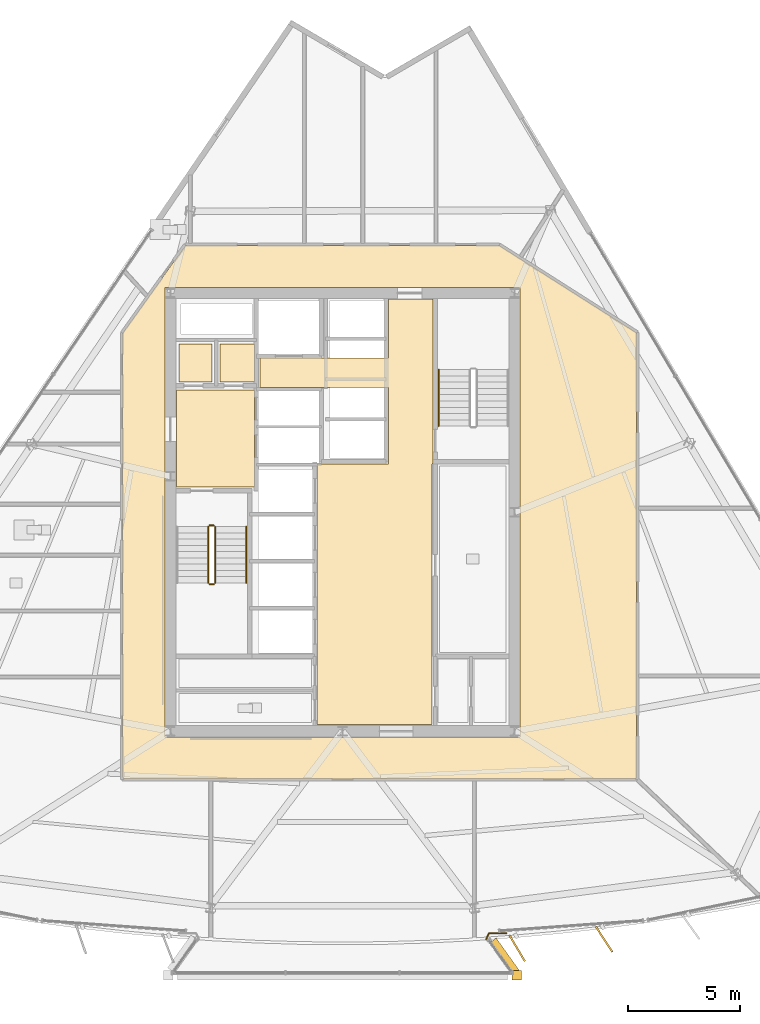
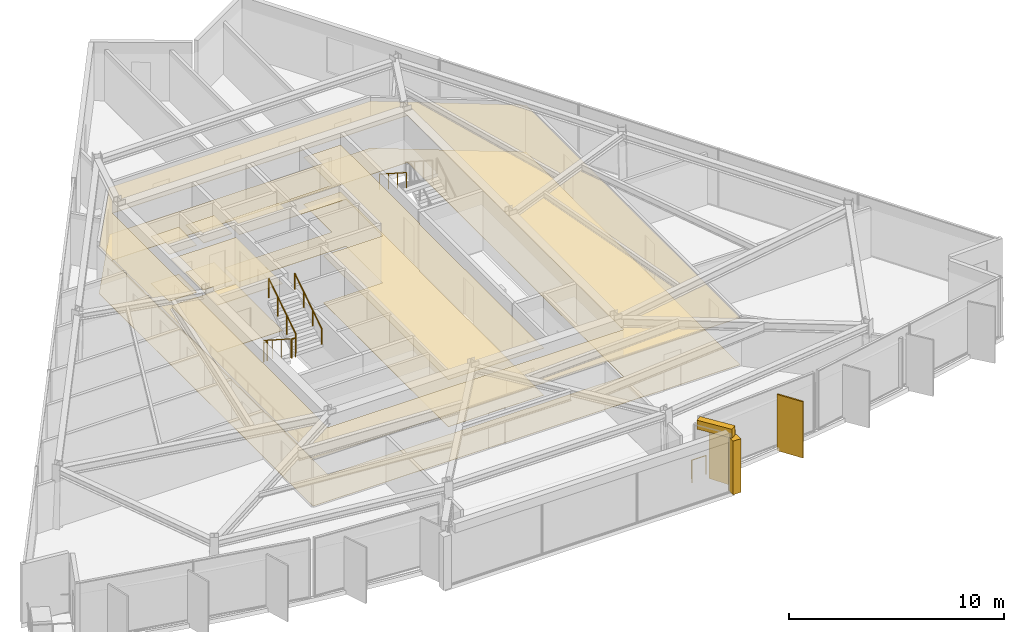
# One storey, part 12 of 15: 12 coverings, 7 railings, 2 shading devices.
"""IFC4 building model written with IfcOpenShell, lengths in metres."""

from ifc_helpers import new_model, si_unit, direction, frame, origin, origin_2d, place, context, subcontext, project, spatial, polyline, rectangle, circle, outline, extrude, material, layer, layer_set, type_object, element, save


model = new_model("IFC4")

# Units and contexts
model_context = context("Model", 3, precision=1e-05, world=origin(), true_north=direction((0.0, 1.0)))
body_context = subcontext(model_context, "Body", "Model", "MODEL_VIEW")
ifc_project = project(units=[si_unit("LENGTHUNIT", "METRE"), si_unit("AREAUNIT", "SQUARE_METRE"), si_unit("VOLUMEUNIT", "CUBIC_METRE"), si_unit("PLANEANGLEUNIT", "RADIAN"), si_unit("MASSUNIT", "GRAM", prefix="KILO")], contexts=[model_context])

# Site, building, storey
site_placement = place(None, origin())
site = spatial("IfcSite", under=ifc_project, at=site_placement, CompositionType="ELEMENT")
building_placement = place(site_placement, origin())
building = spatial("IfcBuilding", under=site, at=building_placement, Name="Savorim Split Tower", CompositionType="ELEMENT")
storey_placement = place(building_placement, frame((0.0, 0.0, 163.800048828125)))
storey = spatial("IfcBuildingStorey", under=building, at=storey_placement, Name="L43", CompositionType="ELEMENT", Elevation=163.800048828125)

# Coverings
ifc_material_1 = material(Name="Mineral Fibre Acoustic Ceiling")
ifc_layer_1 = layer(ifc_material_1, 0.02490234375)
ifc_layer_set_1 = layer_set([ifc_layer_1], Name="COV-CEIL-25")
covering_type_1 = type_object("IfcCoveringType", Name="COV-CEIL-25", PredefinedType="CEILING", material=ifc_layer_set_1)
covering_1_placement = place(storey_placement, frame((0.0, 0.0, 2.669921875)))
element("IfcCovering", 1, at=covering_1_placement, inside=storey, type_object=covering_type_1, Name="L43 Firefighting Lift Lobby Acoustic Ceiling", PredefinedType="CEILING", context=body_context, shape_type="SweptSolid", body=[
    extrude(outline(polyline([(-7.429931640625, 5.8701171875), (-7.429931640625, 1.530029296875), (-3.929931640625, 1.530029296875), (-3.929931640625, 5.8701171875), (-7.429931640625, 5.8701171875)])), origin(), (0.0, 0.0, 1.0), 0.025146484375),
])
covering_2_placement = place(storey_placement, frame((0.0, 0.0, 2.669921875)))
element("IfcCovering", 2, at=covering_2_placement, inside=storey, type_object=covering_type_1, Name="L43 Electrical Riser Acoustic Ceiling", PredefinedType="CEILING", context=body_context, shape_type="SweptSolid", body=[
    extrude(outline(polyline([(-7.320068359375, 7.919921875), (-7.320068359375, 6.22998046875), (-5.830078125, 6.22998046875), (-5.830078125, 7.919921875), (-7.320068359375, 7.919921875)])), origin(), (0.0, 0.0, 1.0), 0.025146484375),
])
covering_3_placement = place(storey_placement, frame((0.0, 0.0, 2.669921875)))
element("IfcCovering", 3, at=covering_3_placement, inside=storey, type_object=covering_type_1, Name="L43 Telecom Riser Acoustic Ceiling", PredefinedType="CEILING", context=body_context, shape_type="SweptSolid", body=[
    extrude(outline(polyline([(-5.469970703125, 7.919921875), (-5.469970703125, 6.22998046875), (-3.929931640625, 6.22998046875), (-3.929931640625, 7.919921875), (-5.469970703125, 7.919921875)])), origin(), (0.0, 0.0, 1.0), 0.025146484375),
])
covering_4_placement = place(storey_placement, frame((0.0, 0.0, 2.669921875)))
element("IfcCovering", 4, at=covering_4_placement, inside=storey, type_object=covering_type_1, Name="L43 Lift Lobby Acoustic Ceiling", PredefinedType="CEILING", context=body_context, shape_type="SweptSolid", body=[
    extrude(outline(polyline([(2.050048828125, 2.550048828125), (-1.14990234375, 2.550048828125), (-1.14990234375, -9.10009765625), (4.0, -9.10009765625), (4.0, 2.550048828125), (4.050048828125, 2.550048828125), (4.050048828125, 5.97998046875), (4.050048828125, 7.300048828125), (4.050048828125, 9.929931640625), (2.050048828125, 9.929931640625), (2.050048828125, 7.300048828125), (-3.699951171875, 7.300048828125), (-3.699951171875, 5.97998046875), (2.050048828125, 5.97998046875), (2.050048828125, 2.550048828125)])), origin(), (0.0, 0.0, 1.0), 0.025146484375),
])
covering_5_placement = place(storey_placement, frame((0.0, 0.0, 2.669921875)))
element("IfcCovering", 5, at=covering_5_placement, inside=storey, type_object=covering_type_1, Name="L43 Corridor Acoustic Ceiling", PredefinedType="CEILING", context=body_context, shape_type="SweptSolid", body=[
    extrude(outline(polyline([(7.009521484375, 12.3291015625), (7.004638671875, 12.329833984375), (7.0, 12.330078125), (-7.0, 12.330078125), (-7.004638671875, 12.329833984375), (-7.009521484375, 12.3291015625), (-7.013916015625, 12.327880859375), (-7.0185546875, 12.326416015625), (-7.022705078125, 12.324462890625), (-7.027099609375, 12.322021484375), (-7.03076171875, 12.3193359375), (-7.034423828125, 12.31640625), (-7.03759765625, 12.312744140625), (-7.04052734375, 12.30908203125), (-9.820556640625, 8.42919921875), (-9.823486328125, 8.4248046875), (-9.82568359375, 8.420166015625), (-9.82763671875, 8.415283203125), (-9.828857421875, 8.410400390625), (-9.82958984375, 8.4052734375), (-9.830078125, 8.39990234375), (-9.830078125, -11.47998046875), (-9.829833984375, -11.48486328125), (-9.8291015625, -11.48974609375), (-9.827880859375, -11.494384765625), (-9.826171875, -11.4990234375), (-9.82421875, -11.503662109375), (-9.821533203125, -11.5078125), (-9.818603515625, -11.51171875), (-9.8154296875, -11.515380859375), (-9.811767578125, -11.518798828125), (-9.807861328125, -11.521484375), (-9.8037109375, -11.524169921875), (-9.799072265625, -11.526123046875), (-9.79443359375, -11.52783203125), (-9.789794921875, -11.529052734375), (-9.784912109375, -11.52978515625), (-9.780029296875, -11.530029296875), (13.10009765625, -11.530029296875), (13.10498046875, -11.52978515625), (13.10986328125, -11.529052734375), (13.114501953125, -11.52783203125), (13.119140625, -11.526123046875), (13.12353515625, -11.524169921875), (13.127685546875, -11.521484375), (13.131591796875, -11.518798828125), (13.135498046875, -11.515380859375), (13.138671875, -11.51171875), (13.1416015625, -11.5078125), (13.14404296875, -11.503662109375), (13.146240234375, -11.4990234375), (13.147705078125, -11.494384765625), (13.14892578125, -11.48974609375), (13.14990234375, -11.48486328125), (13.14990234375, -11.47998046875), (13.14990234375, 8.39990234375), (13.149658203125, 8.405029296875), (13.14892578125, 8.409912109375), (13.147705078125, 8.414794921875), (13.14599609375, 8.41943359375), (13.143798828125, 8.424072265625), (13.14111328125, 8.42822265625), (13.13818359375, 8.432373046875), (13.134765625, 8.43603515625), (13.130859375, 8.439208984375), (13.126708984375, 8.442138671875), (7.02685546875, 12.322265625), (7.022705078125, 12.324462890625), (7.018310546875, 12.326416015625), (7.013916015625, 12.327880859375), (7.009521484375, 12.3291015625)]), holes=[polyline([(-7.949951171875, 10.449951171875), (-7.949951171875, -9.64990234375), (7.949951171875, -9.64990234375), (7.949951171875, 10.449951171875), (-7.949951171875, 10.449951171875)])]), origin(), (0.0, 0.0, 1.0), 0.025146484375),
])
ifc_material_2 = material(Name="Porcelain Stoneware Flooring", Category="masonry")
ifc_layer_2 = layer(ifc_material_2, 0.02001953125)
ifc_layer_set_2 = layer_set([ifc_layer_2], Name="COV-FLOR-20")
covering_type_2 = type_object("IfcCoveringType", Name="COV-FLOR-20", PredefinedType="FLOORING", material=ifc_layer_set_2)
covering_6_placement = place(storey_placement, origin())
element("IfcCovering", 6, at=covering_6_placement, inside=storey, type_object=covering_type_2, Name="L43 Firefighting Lift Lobby Porcelain Flooring", PredefinedType="FLOORING", context=body_context, shape_type="SweptSolid", body=[
    extrude(outline(polyline([(-7.429931640625, 5.8701171875), (-7.429931640625, 1.530029296875), (-3.929931640625, 1.530029296875), (-3.929931640625, 5.8701171875), (-7.429931640625, 5.8701171875)])), origin(), (0.0, 0.0, 1.0), 0.02001953125),
])
covering_7_placement = place(storey_placement, origin())
element("IfcCovering", 7, at=covering_7_placement, inside=storey, type_object=covering_type_2, Name="L43 Electrical Riser Porcelain Flooring", PredefinedType="FLOORING", context=body_context, shape_type="SweptSolid", body=[
    extrude(outline(polyline([(-7.320068359375, 7.919921875), (-7.320068359375, 6.22998046875), (-5.830078125, 6.22998046875), (-5.830078125, 7.919921875), (-7.320068359375, 7.919921875)])), origin(), (0.0, 0.0, 1.0), 0.02001953125),
])
covering_8_placement = place(storey_placement, origin())
element("IfcCovering", 8, at=covering_8_placement, inside=storey, type_object=covering_type_2, Name="L43 Telecom Riser Porcelain Flooring", PredefinedType="FLOORING", context=body_context, shape_type="SweptSolid", body=[
    extrude(outline(polyline([(-5.469970703125, 7.919921875), (-5.469970703125, 6.22998046875), (-3.929931640625, 6.22998046875), (-3.929931640625, 7.919921875), (-5.469970703125, 7.919921875)])), origin(), (0.0, 0.0, 1.0), 0.02001953125),
])
covering_9_placement = place(storey_placement, origin())
element("IfcCovering", 9, at=covering_9_placement, inside=storey, type_object=covering_type_2, Name="L43 Lift Lobby Porcelain Flooring", PredefinedType="FLOORING", context=body_context, shape_type="SweptSolid", body=[
    extrude(outline(polyline([(2.050048828125, 2.550048828125), (-1.14990234375, 2.550048828125), (-1.14990234375, -9.10009765625), (4.0, -9.10009765625), (4.0, 2.550048828125), (4.050048828125, 2.550048828125), (4.050048828125, 5.97998046875), (4.050048828125, 7.300048828125), (4.050048828125, 9.929931640625), (2.050048828125, 9.929931640625), (2.050048828125, 7.300048828125), (-3.699951171875, 7.300048828125), (-3.699951171875, 5.97998046875), (2.050048828125, 5.97998046875), (2.050048828125, 2.550048828125)])), origin(), (0.0, 0.0, 1.0), 0.02001953125),
])
covering_10_placement = place(storey_placement, origin())
element("IfcCovering", 10, at=covering_10_placement, inside=storey, type_object=covering_type_2, Name="L43 Corridor Porcelain Flooring", PredefinedType="FLOORING", context=body_context, shape_type="SweptSolid", body=[
    extrude(outline(polyline([(7.009521484375, 12.3291015625), (7.004638671875, 12.329833984375), (7.0, 12.330078125), (-7.0, 12.330078125), (-7.004638671875, 12.329833984375), (-7.009521484375, 12.3291015625), (-7.013916015625, 12.327880859375), (-7.0185546875, 12.326416015625), (-7.022705078125, 12.324462890625), (-7.027099609375, 12.322021484375), (-7.03076171875, 12.3193359375), (-7.034423828125, 12.31640625), (-7.03759765625, 12.312744140625), (-7.04052734375, 12.30908203125), (-9.820556640625, 8.42919921875), (-9.823486328125, 8.4248046875), (-9.82568359375, 8.420166015625), (-9.82763671875, 8.415283203125), (-9.828857421875, 8.410400390625), (-9.82958984375, 8.4052734375), (-9.830078125, 8.39990234375), (-9.830078125, -11.47998046875), (-9.829833984375, -11.48486328125), (-9.8291015625, -11.48974609375), (-9.827880859375, -11.494384765625), (-9.826171875, -11.4990234375), (-9.82421875, -11.503662109375), (-9.821533203125, -11.5078125), (-9.818603515625, -11.51171875), (-9.8154296875, -11.515380859375), (-9.811767578125, -11.518798828125), (-9.807861328125, -11.521484375), (-9.8037109375, -11.524169921875), (-9.799072265625, -11.526123046875), (-9.79443359375, -11.52783203125), (-9.789794921875, -11.529052734375), (-9.784912109375, -11.52978515625), (-9.780029296875, -11.530029296875), (13.10009765625, -11.530029296875), (13.10498046875, -11.52978515625), (13.10986328125, -11.529052734375), (13.114501953125, -11.52783203125), (13.119140625, -11.526123046875), (13.12353515625, -11.524169921875), (13.127685546875, -11.521484375), (13.131591796875, -11.518798828125), (13.135498046875, -11.515380859375), (13.138671875, -11.51171875), (13.1416015625, -11.5078125), (13.14404296875, -11.503662109375), (13.146240234375, -11.4990234375), (13.147705078125, -11.494384765625), (13.14892578125, -11.48974609375), (13.14990234375, -11.48486328125), (13.14990234375, -11.47998046875), (13.14990234375, 8.39990234375), (13.149658203125, 8.405029296875), (13.14892578125, 8.409912109375), (13.147705078125, 8.414794921875), (13.14599609375, 8.41943359375), (13.143798828125, 8.424072265625), (13.14111328125, 8.42822265625), (13.13818359375, 8.432373046875), (13.134765625, 8.43603515625), (13.130859375, 8.439208984375), (13.126708984375, 8.442138671875), (7.02685546875, 12.322265625), (7.022705078125, 12.324462890625), (7.018310546875, 12.326416015625), (7.013916015625, 12.327880859375), (7.009521484375, 12.3291015625)]), holes=[polyline([(-7.949951171875, 10.449951171875), (-7.949951171875, -9.64990234375), (7.949951171875, -9.64990234375), (7.949951171875, 10.449951171875), (-7.949951171875, 10.449951171875)])]), origin(), (0.0, 0.0, 1.0), 0.02001953125),
])
ifc_material_3 = material(Name="White Porcelain Architectural Cladding")
ifc_layer_3 = layer(ifc_material_3, 0.139892578125)
ifc_layer_set_3 = layer_set([ifc_layer_3], Name="COV-FRM-WHITE")
covering_type_3 = type_object("IfcCoveringType", Name="COV-FRM-WHITE", PredefinedType="CLADDING", material=ifc_layer_set_3)
covering_11_placement = place(storey_placement, frame((0.0, 0.0, 3.079833984375)))
element("IfcCovering", 11, at=covering_11_placement, inside=storey, type_object=covering_type_3, Name="L43 Cantilevered Lounge White Upper Cornice Band E", PredefinedType="CLADDING", context=body_context, shape_type="SweptSolid", body=[
    extrude(outline(polyline([(7.921142578125, -20.11572265625), (6.875244140625, -18.65087890625), (6.598388671875, -18.848388671875), (7.644287109375, -20.313232421875), (7.921142578125, -20.11572265625)])), origin(), (0.0, 0.0, 1.0), 0.510009765625),
])
covering_12_placement = place(storey_placement, frame((0.0, 0.0, 0.010009765625)))
element("IfcCovering", 12, at=covering_12_placement, inside=storey, type_object=covering_type_3, Name="L43 Cantilevered Lounge White Frame Corner Post 2", PredefinedType="CLADDING", context=body_context, shape_type="SweptSolid", body=[
    extrude(outline(polyline([(7.57861328125, -20.518798828125), (7.99853515625, -20.518798828125), (7.99853515625, -20.0986328125), (7.57861328125, -20.0986328125), (7.57861328125, -20.518798828125)])), origin(), (0.0, 0.0, 1.0), 3.050048828125),
])

# Railings
ifc_material_4 = material(Name="Galvanised Painted Steel Balustrade", Category="steel")
railing_type_1 = type_object("IfcRailingType", Name="RLG-BAL-1100", PredefinedType="BALUSTRADE", material=ifc_material_4)
railing_1_placement = place(storey_placement, frame((6.421875, -18.70654296875, 0.0)))
element("IfcRailing", 13, at=railing_1_placement, inside=storey, type_object=railing_type_1, Name="L43 Cantilevered Lounge East Edge Closure Guard", PredefinedType="BALUSTRADE", context=body_context, shape_type="SweptSolid", body=[
    extrude(circle(Radius=0.02392578125, at=origin_2d()), frame((0.0, 0.0, 1.076171875), z_axis=(0.442398453427, 0.896818603958, 0.0), x_axis=(-0.896818603958, 0.442398453427, 0.0)), (0.0, 0.0, 1.0), 0.3046875),
    extrude(circle(Radius=0.02392578125, at=origin_2d()), frame((0.134765625, 0.273193359375, 1.076171875), z_axis=(1.0, 0.0, 0.0), x_axis=(0.0, 1.0, 0.0)), (0.0, 0.0, 1.0), 0.780029296875),
    extrude(circle(Radius=0.02099609375, at=origin_2d()), origin(), (0.0, 0.0, 1.0), 1.052001953125),
    extrude(circle(Radius=0.02099609375, at=origin_2d()), frame((0.134765625, 0.273193359375, 0.0)), (0.0, 0.0, 1.0), 1.052001953125),
    extrude(circle(Radius=0.02099609375, at=origin_2d()), frame((0.914794921875, 0.273193359375, 0.0)), (0.0, 0.0, 1.0), 1.052001953125),
])
railing_type_2 = type_object("IfcRailingType", Name="RLG-HR-900", PredefinedType="HANDRAIL", material=ifc_material_4)
railing_2_placement = place(storey_placement, frame((-4.300048828125, -2.77001953125, 1.97998046875)))
element("IfcRailing", 14, at=railing_2_placement, inside=storey, type_object=railing_type_2, Name="L43 ST-1 stair handrail 2", PredefinedType="HANDRAIL", context=body_context, shape_type="SweptSolid", body=[
    extrude(circle(Radius=0.02392578125, at=origin_2d()), frame((0.0, 0.0, 0.8759765625), z_axis=(0.0, 0.841199657755, 0.540724639528), x_axis=(-1.0, 0.0, 0.0)), (0.0, 0.0, 1.0), 2.995849609375),
    extrude(circle(Radius=0.02099609375, at=origin_2d()), origin(), (0.0, 0.0, 1.0), 0.851806640625),
    extrude(circle(Radius=0.02099609375, at=origin_2d()), frame((0.0, 0.840087890625, 0.5400390625)), (0.0, 0.0, 1.0), 0.851806640625),
    extrude(circle(Radius=0.02099609375, at=origin_2d()), frame((0.0, 1.679931640625, 1.079833984375)), (0.0, 0.0, 1.0), 0.851806640625),
    extrude(circle(Radius=0.02099609375, at=origin_2d()), frame((0.0, 2.52001953125, 1.619873046875)), (0.0, 0.0, 1.0), 0.851806640625),
])
railing_3_placement = place(storey_placement, frame((4.300048828125, 6.77001953125, 1.97998046875)))
element("IfcRailing", 15, at=railing_3_placement, inside=storey, type_object=railing_type_2, Name="L43 ST-2 stair handrail 2", PredefinedType="HANDRAIL", context=body_context, shape_type="SweptSolid", body=[
    extrude(circle(Radius=0.02392578125, at=origin_2d()), frame((0.0, 0.0, 0.8759765625), z_axis=(0.0, -0.841199657755, 0.540724639528), x_axis=(1.0, 0.0, 0.0)), (0.0, 0.0, 1.0), 2.995849609375),
    extrude(circle(Radius=0.02099609375, at=origin_2d()), origin(), (0.0, 0.0, 1.0), 0.851806640625),
    extrude(circle(Radius=0.02099609375, at=origin_2d()), frame((0.0, -0.840087890625, 0.5400390625)), (0.0, 0.0, 1.0), 0.851806640625),
    extrude(circle(Radius=0.02099609375, at=origin_2d()), frame((0.0, -1.679931640625, 1.079833984375)), (0.0, 0.0, 1.0), 0.851806640625),
    extrude(circle(Radius=0.02099609375, at=origin_2d()), frame((0.0, -2.52001953125, 1.619873046875)), (0.0, 0.0, 1.0), 0.851806640625),
])
railing_type_3 = type_object("IfcRailingType", Name="RLG-STG-1100", PredefinedType="BALUSTRADE", material=ifc_material_4)
railing_4_placement = place(storey_placement, frame((-6.0, -0.25, 0.179931640625)))
element("IfcRailing", 16, at=railing_4_placement, inside=storey, type_object=railing_type_3, Name="L43 ST-1 stair guard 1", PredefinedType="BALUSTRADE", context=body_context, shape_type="SweptSolid", body=[
    extrude(circle(Radius=0.02392578125, at=origin_2d()), frame((0.0, 0.0, 1.076171875), z_axis=(0.0, -0.841162588446, 0.540782303519), x_axis=(1.0, 0.0, 0.0)), (0.0, 0.0, 1.0), 2.995849609375),
    extrude(circle(Radius=0.02099609375, at=origin_2d()), origin(), (0.0, 0.0, 1.0), 1.052001953125),
    extrude(circle(Radius=0.02099609375, at=origin_2d()), frame((0.0, -0.840087890625, 0.5400390625)), (0.0, 0.0, 1.0), 1.052001953125),
    extrude(circle(Radius=0.02099609375, at=origin_2d()), frame((0.0, -1.679931640625, 1.080078125)), (0.0, 0.0, 1.0), 1.052001953125),
    extrude(circle(Radius=0.02099609375, at=origin_2d()), frame((0.0, -2.52001953125, 1.6201171875)), (0.0, 0.0, 1.0), 1.052001953125),
])
railing_5_placement = place(storey_placement, frame((-5.949951171875, -2.820068359375, 1.800048828125)))
element("IfcRailing", 17, at=railing_5_placement, inside=storey, type_object=railing_type_3, Name="L43 ST-1 stair guard 2", PredefinedType="BALUSTRADE", context=body_context, shape_type="SweptSolid", body=[
    extrude(circle(Radius=0.02392578125, at=origin_2d()), frame((0.0, 0.0, 1.076171875), z_axis=(1.0, 0.0, 0.0), x_axis=(0.0, 1.0, 0.0)), (0.0, 0.0, 1.0), 0.199951171875),
    extrude(circle(Radius=0.02099609375, at=origin_2d()), origin(), (0.0, 0.0, 1.0), 1.052001953125),
    extrude(circle(Radius=0.02099609375, at=origin_2d()), frame((0.199951171875, 0.0, 0.0)), (0.0, 0.0, 1.0), 1.052001953125),
])
railing_6_placement = place(storey_placement, frame((-5.699951171875, -2.77001953125, 1.97998046875)))
element("IfcRailing", 18, at=railing_6_placement, inside=storey, type_object=railing_type_3, Name="L43 ST-1 stair guard 3", PredefinedType="BALUSTRADE", context=body_context, shape_type="SweptSolid", body=[
    extrude(circle(Radius=0.02392578125, at=origin_2d()), frame((0.0, 0.0, 1.076171875), z_axis=(0.0, 0.841199657755, 0.540724639528), x_axis=(-1.0, 0.0, 0.0)), (0.0, 0.0, 1.0), 2.995849609375),
    extrude(circle(Radius=0.02099609375, at=origin_2d()), origin(), (0.0, 0.0, 1.0), 1.052001953125),
    extrude(circle(Radius=0.02099609375, at=origin_2d()), frame((0.0, 0.840087890625, 0.5400390625)), (0.0, 0.0, 1.0), 1.052001953125),
    extrude(circle(Radius=0.02099609375, at=origin_2d()), frame((0.0, 1.679931640625, 1.079833984375)), (0.0, 0.0, 1.0), 1.052001953125),
    extrude(circle(Radius=0.02099609375, at=origin_2d()), frame((0.0, 2.52001953125, 1.619873046875)), (0.0, 0.0, 1.0), 1.052001953125),
])
railing_7_placement = place(storey_placement, frame((-5.949951171875, -0.199951171875, 0.0)))
element("IfcRailing", 19, at=railing_7_placement, inside=storey, type_object=railing_type_3, Name="L43 ST-1 stair guard 4", PredefinedType="BALUSTRADE", context=body_context, shape_type="SweptSolid", body=[
    extrude(circle(Radius=0.02392578125, at=origin_2d()), frame((0.0, 0.0, 1.076171875), z_axis=(1.0, 0.0, 0.0), x_axis=(0.0, 1.0, 0.0)), (0.0, 0.0, 1.0), 0.199951171875),
    extrude(circle(Radius=0.02099609375, at=origin_2d()), origin(), (0.0, 0.0, 1.0), 1.052001953125),
    extrude(circle(Radius=0.02099609375, at=origin_2d()), frame((0.199951171875, 0.0, 0.0)), (0.0, 0.0, 1.0), 1.052001953125),
])

# Shading devices
ifc_material_5 = material(Name="Terracotta Ceramic-Coated Aluminium Fin", Category="masonry")
shading_device_type = type_object("IfcShadingDeviceType", Name="SHD-FIN-1360", PredefinedType="USERDEFINED", material=ifc_material_5)
for number, where, z_axis, x_axis, name in (
    (20, (7.8115234375, -19.108154296875, -0.2001953125), (0.0, 0.0, 1.0), (0.510391336723, -0.859942255851, 0.0), "L43 Sawtooth Shading Fin 09"),
    (21, (11.700927734375, -18.708740234375, -0.2001953125), (0.0, 0.0, 1.0), (0.545148321708, -0.838339613366, 0.0), "L43 Sawtooth Shading Fin 10"),
):
    element("IfcShadingDevice", number, at=place(storey_placement, frame(where, z_axis=z_axis, x_axis=x_axis)), inside=storey, type_object=shading_device_type, Name=name, ObjectType="FIN", PredefinedType="USERDEFINED", context=body_context, shape_type="SweptSolid", body=[
        extrude(rectangle(XDim=1.360107421875, YDim=0.080078125, at=origin_2d()), origin(), (0.0, 0.0, 1.0), 3.199951171875),
    ])

save(model, "model.ifc")
